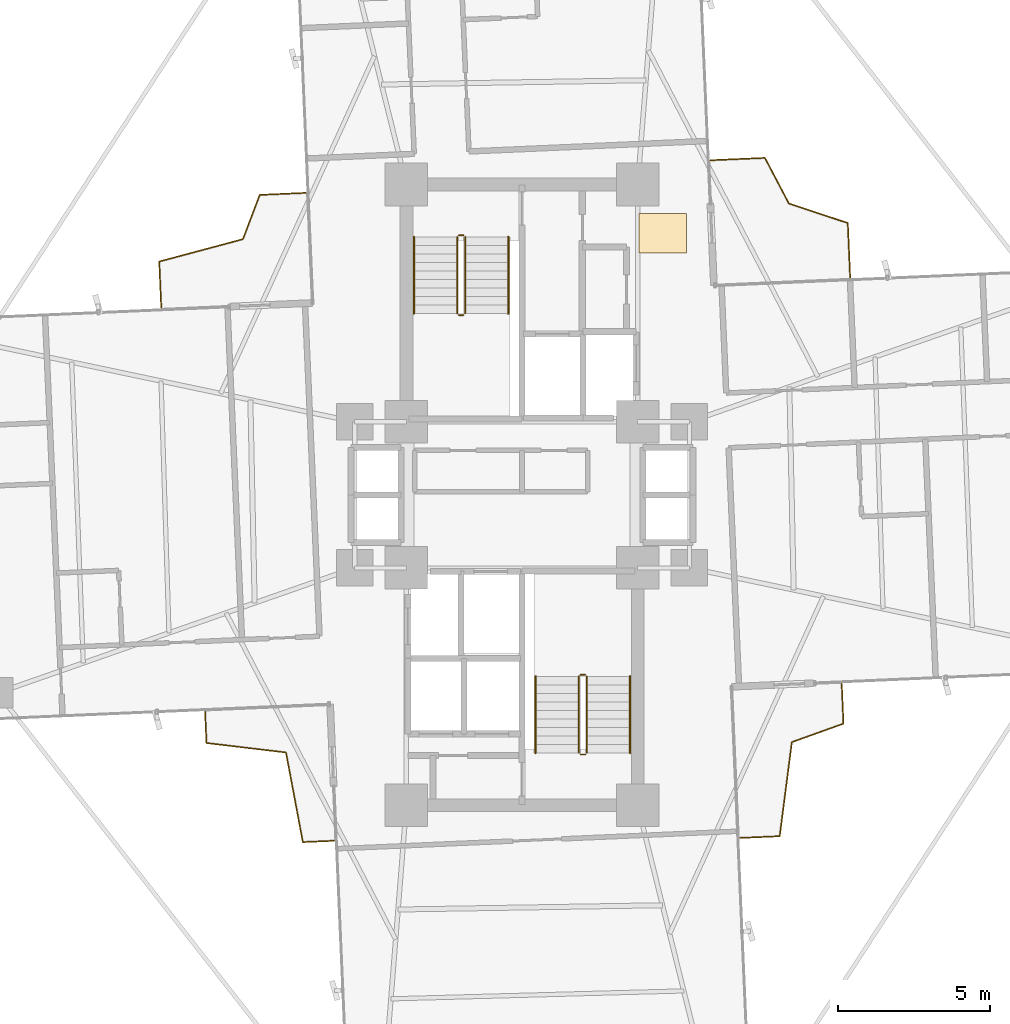
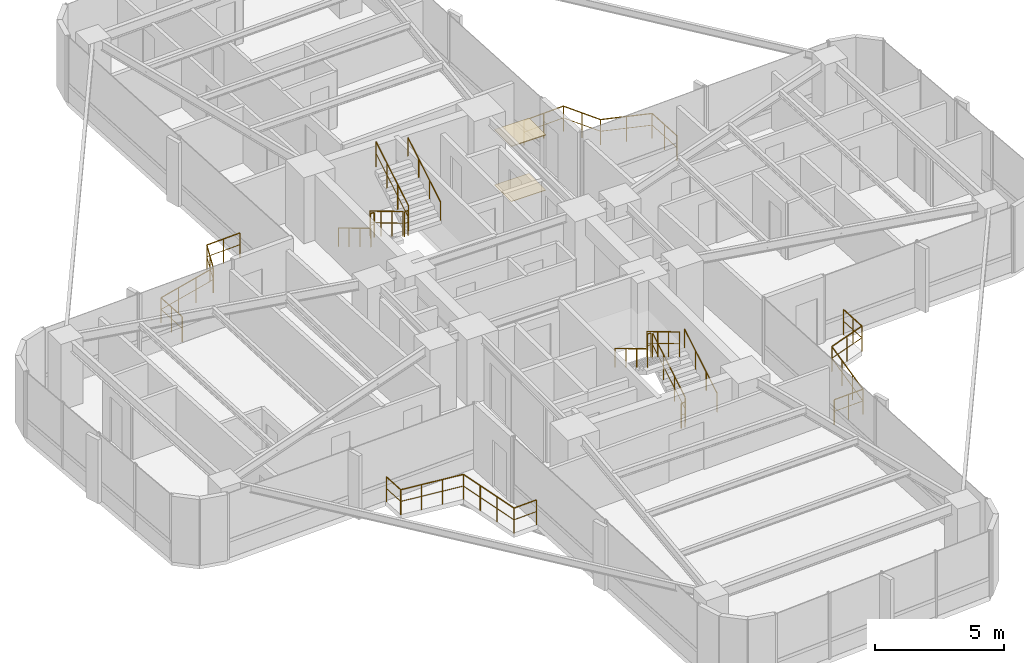
# One storey, part 26 of 26: 16 railings, 2 coverings.
"""IFC4 building model written with IfcOpenShell, lengths in metres."""

from ifc_helpers import new_model, si_unit, direction, frame, origin, origin_2d, place, context, subcontext, project, spatial, polyline, circle, outline, extrude, material, layer, layer_set, type_object, element, save


model = new_model("IFC4")

# Units and contexts
model_context = context("Model", 3, precision=1e-05, world=origin(), true_north=direction((0.0, 1.0)))
body_context = subcontext(model_context, "Body", "Model", "MODEL_VIEW")
ifc_project = project(units=[si_unit("LENGTHUNIT", "METRE"), si_unit("AREAUNIT", "SQUARE_METRE"), si_unit("VOLUMEUNIT", "CUBIC_METRE"), si_unit("PLANEANGLEUNIT", "RADIAN"), si_unit("MASSUNIT", "GRAM", prefix="KILO")], contexts=[model_context])

# Site, building, storey
site_placement = place(None, origin())
site = spatial("IfcSite", under=ifc_project, at=site_placement, CompositionType="ELEMENT")
building_placement = place(site_placement, origin())
building = spatial("IfcBuilding", under=site, at=building_placement, Name="Sahyath Konkavel Grand Hotel", CompositionType="ELEMENT")
storey_placement = place(building_placement, frame((0.0, 0.0, 83.5)))
storey = spatial("IfcBuildingStorey", under=building, at=storey_placement, Name="L22", CompositionType="ELEMENT", Elevation=83.5)

# Coverings
ifc_material_1 = material(Name="Perforated Acoustic Gypsum and Teak Baffle Ceiling")
ifc_layer_1 = layer(ifc_material_1, 0.044921875)
ifc_layer_set_1 = layer_set([ifc_layer_1], Name="Perforated Acoustic Gypsum and Teak Baffle Ceiling")
covering_type_1 = type_object("IfcCoveringType", Name="COV-ACOUSTIC-CLG", PredefinedType="CEILING", material=ifc_layer_set_1)
covering_1_placement = place(storey_placement, frame((0.0, 0.0, 2.590087890625)))
element("IfcCovering", 1, at=covering_1_placement, inside=storey, type_object=covering_type_1, Name="L22 Core Vestibule Acoustic Ceiling", PredefinedType="CEILING", context=body_context, shape_type="SweptSolid", body=[
    extrude(outline(polyline([(3.85009765625, 7.949951171875), (5.39990234375, 7.949951171875), (5.39990234375, 9.25), (3.85009765625, 9.25), (3.85009765625, 7.949951171875)])), origin(), (0.0, 0.0, 1.0), 0.039794921875),
])
ifc_material_2 = material(Name="Polished Konkan Aggregate Terrazzo Flooring")
ifc_layer_2 = layer(ifc_material_2, 0.02001953125)
ifc_layer_set_2 = layer_set([ifc_layer_2], Name="Polished Konkan Aggregate Terrazzo Flooring")
covering_type_2 = type_object("IfcCoveringType", Name="COV-TERRAZZO", PredefinedType="FLOORING", material=ifc_layer_set_2)
covering_2_placement = place(storey_placement, origin())
element("IfcCovering", 2, at=covering_2_placement, inside=storey, type_object=covering_type_2, Name="L22 Core Vestibule Terrazzo Flooring", PredefinedType="FLOORING", context=body_context, shape_type="SweptSolid", body=[
    extrude(outline(polyline([(3.85009765625, 7.949951171875), (5.39990234375, 7.949951171875), (5.39990234375, 9.25), (3.85009765625, 9.25), (3.85009765625, 7.949951171875)])), origin(), (0.0, 0.0, 1.0), 0.02001953125),
])

# Railings
ifc_material_3 = material(Name="Anodised Bronze Aluminium", Category="aluminium")
railing_type_1 = type_object("IfcRailingType", Name="RLG-BALC-1200", PredefinedType="GUARDRAIL", material=ifc_material_3)
railing_1_placement = place(storey_placement, frame((10.783935546875, 7.13720703125, 0.0)))
element("IfcRailing", 3, at=railing_1_placement, inside=storey, type_object=railing_type_1, Name="L22 Winter-Garden Guard NE", PredefinedType="GUARDRAIL", context=body_context, shape_type="SweptSolid", body=[
    extrude(circle(Radius=0.02392578125, at=origin_2d()), frame((0.0, 0.001953125, 1.17578125), z_axis=(-0.043578618053, 0.999050000775, 0.0), x_axis=(-0.999050000775, -0.043578618053, 0.0)), (0.0, 0.0, 1.0), 1.79443359375),
    extrude(circle(Radius=0.01416015625, at=origin_2d()), frame((0.0, 0.001953125, 0.6240234375), z_axis=(-0.043578618053, 0.999050000775, 0.0), x_axis=(-0.999050000775, -0.043578618053, 0.0)), (0.0, 0.0, 1.0), 1.79443359375),
    extrude(circle(Radius=0.02392578125, at=origin_2d()), frame((-0.080322265625, 1.79736328125, 1.17578125), z_axis=(-0.94951907359, 0.313709306348, 0.0), x_axis=(-0.313709306348, -0.94951907359, 0.0)), (0.0, 0.0, 1.0), 2.03271484375),
    extrude(circle(Radius=0.01416015625, at=origin_2d()), frame((-0.080322265625, 1.79736328125, 0.6240234375), z_axis=(-0.94951907359, 0.313709306348, 0.0), x_axis=(-0.313709306348, -0.94951907359, 0.0)), (0.0, 0.0, 1.0), 2.03271484375),
    extrude(circle(Radius=0.02392578125, at=origin_2d()), frame((-2.01318359375, 2.437255859375, 1.17578125), z_axis=(-0.465206334959, 0.885202274011, 0.0), x_axis=(-0.885202274011, -0.465206334959, 0.0)), (0.0, 0.0, 1.0), 1.691650390625),
    extrude(circle(Radius=0.01416015625, at=origin_2d()), frame((-2.01318359375, 2.437255859375, 0.6240234375), z_axis=(-0.465206334959, 0.885202274011, 0.0), x_axis=(-0.885202274011, -0.465206334959, 0.0)), (0.0, 0.0, 1.0), 1.691650390625),
    extrude(circle(Radius=0.02392578125, at=origin_2d()), frame((-2.802978515625, 3.9365234375, 1.17578125), z_axis=(-0.999050000775, -0.043578618053, 0.0), x_axis=(0.043578618053, -0.999050000775, 0.0)), (0.0, 0.0, 1.0), 1.79443359375),
    extrude(circle(Radius=0.01416015625, at=origin_2d()), frame((-2.802978515625, 3.9365234375, 0.6240234375), z_axis=(-0.999050000775, -0.043578618053, 0.0), x_axis=(0.043578618053, -0.999050000775, 0.0)), (0.0, 0.0, 1.0), 1.79443359375),
    extrude(circle(Radius=0.02099609375, at=origin_2d()), origin(), (0.0, 0.0, 1.0), 1.15185546875),
    extrude(circle(Radius=0.02099609375, at=origin_2d()), frame((-0.0390625, 0.8984375, 0.0)), (0.0, 0.0, 1.0), 1.15185546875),
    extrude(circle(Radius=0.02099609375, at=origin_2d()), frame((-0.078369140625, 1.796630859375, 0.0)), (0.0, 0.0, 1.0), 1.15185546875),
    extrude(circle(Radius=0.02099609375, at=origin_2d()), frame((-1.04541015625, 2.1162109375, 0.0)), (0.0, 0.0, 1.0), 1.15185546875),
    extrude(circle(Radius=0.02099609375, at=origin_2d()), frame((-2.01220703125, 2.435546875, 0.0)), (0.0, 0.0, 1.0), 1.15185546875),
    extrude(circle(Radius=0.02099609375, at=origin_2d()), frame((-2.40673828125, 3.18603515625, 0.0)), (0.0, 0.0, 1.0), 1.15185546875),
    extrude(circle(Radius=0.02099609375, at=origin_2d()), frame((-2.801025390625, 3.9365234375, 0.0)), (0.0, 0.0, 1.0), 1.15185546875),
    extrude(circle(Radius=0.02099609375, at=origin_2d()), frame((-3.69921875, 3.8974609375, 0.0)), (0.0, 0.0, 1.0), 1.15185546875),
    extrude(circle(Radius=0.02099609375, at=origin_2d()), frame((-4.59765625, 3.858154296875, 0.0)), (0.0, 0.0, 1.0), 1.15185546875),
])
railing_2_placement = place(storey_placement, frame((-7.099609375, 9.9248046875, 0.0)))
element("IfcRailing", 4, at=railing_2_placement, inside=storey, type_object=railing_type_1, Name="L22 Winter-Garden Guard NW", PredefinedType="GUARDRAIL", context=body_context, shape_type="SweptSolid", body=[
    extrude(circle(Radius=0.02392578125, at=origin_2d()), frame((-0.001953125, 0.0, 1.17578125), z_axis=(-0.999045829762, -0.043674134634, 0.0), x_axis=(0.043674134634, -0.999045829762, 0.0)), (0.0, 0.0, 1.0), 1.5166015625),
    extrude(circle(Radius=0.01416015625, at=origin_2d()), frame((-0.001953125, 0.0, 0.6240234375), z_axis=(-0.999045829762, -0.043674134634, 0.0), x_axis=(0.043674134634, -0.999045829762, 0.0)), (0.0, 0.0, 1.0), 1.5166015625),
    extrude(circle(Radius=0.02392578125, at=origin_2d()), frame((-1.519775390625, -0.068359375, 1.17578125), z_axis=(-0.354507640627, -0.935053117602, 0.0), x_axis=(0.935053117602, -0.354507640627, 0.0)), (0.0, 0.0, 1.0), 1.552490234375),
    extrude(circle(Radius=0.01416015625, at=origin_2d()), frame((-1.519775390625, -0.068359375, 0.6240234375), z_axis=(-0.354507640627, -0.935053117602, 0.0), x_axis=(0.935053117602, -0.354507640627, 0.0)), (0.0, 0.0, 1.0), 1.552490234375),
    extrude(circle(Radius=0.02392578125, at=origin_2d()), frame((-2.07275390625, -1.522216796875, 1.17578125), z_axis=(-0.966069644083, -0.258281712052, 0.0), x_axis=(0.258281712052, -0.966069644083, 0.0)), (0.0, 0.0, 1.0), 2.843017578125),
    extrude(circle(Radius=0.01416015625, at=origin_2d()), frame((-2.07275390625, -1.522216796875, 0.6240234375), z_axis=(-0.966069644083, -0.258281712052, 0.0), x_axis=(0.258281712052, -0.966069644083, 0.0)), (0.0, 0.0, 1.0), 2.843017578125),
    extrude(circle(Radius=0.02392578125, at=origin_2d()), frame((-4.8212890625, -2.259033203125, 1.17578125), z_axis=(0.043674134634, -0.999045829762, 0.0), x_axis=(0.999045829762, 0.043674134634, 0.0)), (0.0, 0.0, 1.0), 1.5166015625),
    extrude(circle(Radius=0.01416015625, at=origin_2d()), frame((-4.8212890625, -2.259033203125, 0.6240234375), z_axis=(0.043674134634, -0.999045829762, 0.0), x_axis=(0.999045829762, 0.043674134634, 0.0)), (0.0, 0.0, 1.0), 1.5166015625),
    extrude(circle(Radius=0.02099609375, at=origin_2d()), origin(), (0.0, 0.0, 1.0), 1.15185546875),
    extrude(circle(Radius=0.02099609375, at=origin_2d()), frame((-0.759521484375, -0.033203125, 0.0)), (0.0, 0.0, 1.0), 1.15185546875),
    extrude(circle(Radius=0.02099609375, at=origin_2d()), frame((-1.51904296875, -0.06640625, 0.0)), (0.0, 0.0, 1.0), 1.15185546875),
    extrude(circle(Radius=0.02099609375, at=origin_2d()), frame((-1.794921875, -0.7939453125, 0.0)), (0.0, 0.0, 1.0), 1.15185546875),
    extrude(circle(Radius=0.02099609375, at=origin_2d()), frame((-2.07080078125, -1.521728515625, 0.0)), (0.0, 0.0, 1.0), 1.15185546875),
    extrude(circle(Radius=0.02099609375, at=origin_2d()), frame((-2.987548828125, -1.766845703125, 0.0)), (0.0, 0.0, 1.0), 1.15185546875),
    extrude(circle(Radius=0.02099609375, at=origin_2d()), frame((-3.904541015625, -2.011962890625, 0.0)), (0.0, 0.0, 1.0), 1.15185546875),
    extrude(circle(Radius=0.02099609375, at=origin_2d()), frame((-4.8212890625, -2.257080078125, 0.0)), (0.0, 0.0, 1.0), 1.15185546875),
    extrude(circle(Radius=0.02099609375, at=origin_2d()), frame((-4.7880859375, -3.0166015625, 0.0)), (0.0, 0.0, 1.0), 1.15185546875),
    extrude(circle(Radius=0.02099609375, at=origin_2d()), frame((-4.7548828125, -3.776123046875, 0.0)), (0.0, 0.0, 1.0), 1.15185546875),
])
railing_3_placement = place(storey_placement, frame((-10.414306640625, -7.12109375, 0.0)))
element("IfcRailing", 5, at=railing_3_placement, inside=storey, type_object=railing_type_1, Name="L22 Winter-Garden Guard SW", PredefinedType="GUARDRAIL", context=body_context, shape_type="SweptSolid", body=[
    extrude(circle(Radius=0.02392578125, at=origin_2d()), frame((0.0, -0.001953125, 1.17578125), z_axis=(0.043693456786, -0.99904498489, 0.0), x_axis=(0.99904498489, 0.043693456786, 0.0)), (0.0, 0.0, 1.0), 1.02978515625),
    extrude(circle(Radius=0.01416015625, at=origin_2d()), frame((0.0, -0.001953125, 0.6240234375), z_axis=(0.043693456786, -0.99904498489, 0.0), x_axis=(0.99904498489, 0.043693456786, 0.0)), (0.0, 0.0, 1.0), 1.02978515625),
    extrude(circle(Radius=0.02392578125, at=origin_2d()), frame((0.047119140625, -1.032958984375, 1.17578125), z_axis=(0.992963091084, -0.118424236305, 0.0), x_axis=(0.118424236305, 0.992963091084, 0.0)), (0.0, 0.0, 1.0), 2.62646484375),
    extrude(circle(Radius=0.01416015625, at=origin_2d()), frame((0.047119140625, -1.032958984375, 0.6240234375), z_axis=(0.992963091084, -0.118424236305, 0.0), x_axis=(0.118424236305, 0.992963091084, 0.0)), (0.0, 0.0, 1.0), 2.62646484375),
    extrude(circle(Radius=0.02392578125, at=origin_2d()), frame((2.65771484375, -1.34619140625, 1.17578125), z_axis=(0.184962480179, -0.98274558301, 0.0), x_axis=(0.98274558301, 0.184962480179, 0.0)), (0.0, 0.0, 1.0), 2.9921875),
    extrude(circle(Radius=0.01416015625, at=origin_2d()), frame((2.65771484375, -1.34619140625, 0.6240234375), z_axis=(0.184962480179, -0.98274558301, 0.0), x_axis=(0.98274558301, 0.184962480179, 0.0)), (0.0, 0.0, 1.0), 2.9921875),
    extrude(circle(Radius=0.02392578125, at=origin_2d()), frame((3.21337890625, -4.288818359375, 1.17578125), z_axis=(0.999055266887, 0.043457723193, 0.0), x_axis=(-0.043457723193, 0.999055266887, 0.0)), (0.0, 0.0, 1.0), 1.02978515625),
    extrude(circle(Radius=0.01416015625, at=origin_2d()), frame((3.21337890625, -4.288818359375, 0.6240234375), z_axis=(0.999055266887, 0.043457723193, 0.0), x_axis=(-0.043457723193, 0.999055266887, 0.0)), (0.0, 0.0, 1.0), 1.02978515625),
    extrude(circle(Radius=0.02099609375, at=origin_2d()), origin(), (0.0, 0.0, 1.0), 1.15185546875),
    extrude(circle(Radius=0.02099609375, at=origin_2d()), frame((0.045166015625, -1.03271484375, 0.0)), (0.0, 0.0, 1.0), 1.15185546875),
    extrude(circle(Radius=0.02099609375, at=origin_2d()), frame((0.915771484375, -1.136474609375, 0.0)), (0.0, 0.0, 1.0), 1.15185546875),
    extrude(circle(Radius=0.02099609375, at=origin_2d()), frame((1.78662109375, -1.240478515625, 0.0)), (0.0, 0.0, 1.0), 1.15185546875),
    extrude(circle(Radius=0.02099609375, at=origin_2d()), frame((2.6572265625, -1.34423828125, 0.0)), (0.0, 0.0, 1.0), 1.15185546875),
    extrude(circle(Radius=0.02099609375, at=origin_2d()), frame((2.842041015625, -2.32568359375, 0.0)), (0.0, 0.0, 1.0), 1.15185546875),
    extrude(circle(Radius=0.02099609375, at=origin_2d()), frame((3.026611328125, -3.307373046875, 0.0)), (0.0, 0.0, 1.0), 1.15185546875),
    extrude(circle(Radius=0.02099609375, at=origin_2d()), frame((3.21142578125, -4.288818359375, 0.0)), (0.0, 0.0, 1.0), 1.15185546875),
    extrude(circle(Radius=0.02099609375, at=origin_2d()), frame((4.244140625, -4.243896484375, 0.0)), (0.0, 0.0, 1.0), 1.15185546875),
])
railing_4_placement = place(storey_placement, frame((7.15869140625, -11.2734375, 0.0)))
element("IfcRailing", 6, at=railing_4_placement, inside=storey, type_object=railing_type_1, Name="L22 Winter-Garden Guard SE", PredefinedType="GUARDRAIL", context=body_context, shape_type="SweptSolid", body=[
    extrude(circle(Radius=0.02392578125, at=origin_2d()), frame((0.001953125, 0.0, 1.17578125), z_axis=(0.999050882696, 0.043558395109, 0.0), x_axis=(-0.043558395109, 0.999050882696, 0.0)), (0.0, 0.0, 1.0), 1.3076171875),
    extrude(circle(Radius=0.01416015625, at=origin_2d()), frame((0.001953125, 0.0, 0.6240234375), z_axis=(0.999050882696, 0.043558395109, 0.0), x_axis=(-0.043558395109, 0.999050882696, 0.0)), (0.0, 0.0, 1.0), 1.3076171875),
    extrude(circle(Radius=0.02392578125, at=origin_2d()), frame((1.310546875, 0.05908203125, 1.17578125), z_axis=(0.128026030976, 0.991770807895, 0.0), x_axis=(-0.991770807895, 0.128026030976, 0.0)), (0.0, 0.0, 1.0), 3.112060546875),
    extrude(circle(Radius=0.01416015625, at=origin_2d()), frame((1.310546875, 0.05908203125, 0.6240234375), z_axis=(0.128026030976, 0.991770807895, 0.0), x_axis=(-0.991770807895, 0.128026030976, 0.0)), (0.0, 0.0, 1.0), 3.112060546875),
    extrude(circle(Radius=0.02392578125, at=origin_2d()), frame((1.711181640625, 3.148193359375, 1.17578125), z_axis=(0.941296329015, 0.337581428669, 0.0), x_axis=(-0.337581428669, 0.941296329015, 0.0)), (0.0, 0.0, 1.0), 1.796875),
    extrude(circle(Radius=0.01416015625, at=origin_2d()), frame((1.711181640625, 3.148193359375, 0.6240234375), z_axis=(0.941296329015, 0.337581428669, 0.0), x_axis=(-0.337581428669, 0.941296329015, 0.0)), (0.0, 0.0, 1.0), 1.796875),
    extrude(circle(Radius=0.02392578125, at=origin_2d()), frame((3.404296875, 3.75732421875, 1.17578125), z_axis=(-0.043550296046, 0.99905123578, 0.0), x_axis=(-0.99905123578, -0.043550296046, 0.0)), (0.0, 0.0, 1.0), 1.307861328125),
    extrude(circle(Radius=0.01416015625, at=origin_2d()), frame((3.404296875, 3.75732421875, 0.6240234375), z_axis=(-0.043550296046, 0.99905123578, 0.0), x_axis=(-0.99905123578, -0.043550296046, 0.0)), (0.0, 0.0, 1.0), 1.307861328125),
    extrude(circle(Radius=0.02099609375, at=origin_2d()), origin(), (0.0, 0.0, 1.0), 1.15185546875),
    extrude(circle(Radius=0.02099609375, at=origin_2d()), frame((0.6552734375, 0.028564453125, 0.0)), (0.0, 0.0, 1.0), 1.15185546875),
    extrude(circle(Radius=0.02099609375, at=origin_2d()), frame((1.310302734375, 0.05712890625, 0.0)), (0.0, 0.0, 1.0), 1.15185546875),
    extrude(circle(Radius=0.02099609375, at=origin_2d()), frame((1.443359375, 1.087158203125, 0.0)), (0.0, 0.0, 1.0), 1.15185546875),
    extrude(circle(Radius=0.02099609375, at=origin_2d()), frame((1.576171875, 2.117431640625, 0.0)), (0.0, 0.0, 1.0), 1.15185546875),
    extrude(circle(Radius=0.02099609375, at=origin_2d()), frame((1.709228515625, 3.1474609375, 0.0)), (0.0, 0.0, 1.0), 1.15185546875),
    extrude(circle(Radius=0.02099609375, at=origin_2d()), frame((2.556640625, 3.451416015625, 0.0)), (0.0, 0.0, 1.0), 1.15185546875),
    extrude(circle(Radius=0.02099609375, at=origin_2d()), frame((3.404296875, 3.75537109375, 0.0)), (0.0, 0.0, 1.0), 1.15185546875),
    extrude(circle(Radius=0.02099609375, at=origin_2d()), frame((3.375732421875, 4.41064453125, 0.0)), (0.0, 0.0, 1.0), 1.15185546875),
    extrude(circle(Radius=0.02099609375, at=origin_2d()), frame((3.34716796875, 5.06591796875, 0.0)), (0.0, 0.0, 1.0), 1.15185546875),
])
ifc_material_4 = material(Name="Steel E350", Category="steel")
railing_type_2 = type_object("IfcRailingType", Name="RLG-STAIR-GRD", PredefinedType="GUARDRAIL", material=ifc_material_4)
railing_5_placement = place(storey_placement, frame((-2.1298828125, 8.47998046875, 0.16748046875)))
element("IfcRailing", 7, at=railing_5_placement, inside=storey, type_object=railing_type_2, Name="L22 ST-1 stair guard 1", PredefinedType="GUARDRAIL", context=body_context, shape_type="SweptSolid", body=[
    extrude(circle(Radius=0.02392578125, at=origin_2d()), frame((0.0, -0.001708984375, 1.177001953125), z_axis=(0.0, -0.858159760407, 0.513382728203), x_axis=(1.0, 0.0, 0.0)), (0.0, 0.0, 1.0), 2.9326171875),
    extrude(circle(Radius=0.01416015625, at=origin_2d()), frame((0.0, -0.001708984375, 0.625), z_axis=(0.0, -0.858159760407, 0.513382728203), x_axis=(1.0, 0.0, 0.0)), (0.0, 0.0, 1.0), 2.9326171875),
    extrude(circle(Radius=0.02099609375, at=origin_2d()), origin(), (0.0, 0.0, 1.0), 1.15185546875),
    extrude(circle(Radius=0.02099609375, at=origin_2d()), frame((0.0, -0.840087890625, 0.50244140625)), (0.0, 0.0, 1.0), 1.15185546875),
    extrude(circle(Radius=0.02099609375, at=origin_2d()), frame((0.0, -1.679931640625, 1.005126953125)), (0.0, 0.0, 1.0), 1.15185546875),
    extrude(circle(Radius=0.02099609375, at=origin_2d()), frame((0.0, -2.52001953125, 1.507568359375)), (0.0, 0.0, 1.0), 1.15185546875),
])
railing_6_placement = place(storey_placement, frame((-2.080078125, 5.909912109375, 1.675048828125)))
element("IfcRailing", 8, at=railing_6_placement, inside=storey, type_object=railing_type_2, Name="L22 ST-1 stair guard 2", PredefinedType="GUARDRAIL", context=body_context, shape_type="SweptSolid", body=[
    extrude(circle(Radius=0.02392578125, at=origin_2d()), frame((0.001953125, 0.0, 1.17578125), z_axis=(1.0, 0.0, 0.0), x_axis=(0.0, 1.0, 0.0)), (0.0, 0.0, 1.0), 0.15625),
    extrude(circle(Radius=0.01416015625, at=origin_2d()), frame((0.001953125, 0.0, 0.6240234375), z_axis=(1.0, 0.0, 0.0), x_axis=(0.0, 1.0, 0.0)), (0.0, 0.0, 1.0), 0.15625),
    extrude(circle(Radius=0.02099609375, at=origin_2d()), origin(), (0.0, 0.0, 1.0), 1.15185546875),
    extrude(circle(Radius=0.02099609375, at=origin_2d()), frame((0.16015625, 0.0, 0.0)), (0.0, 0.0, 1.0), 1.15185546875),
])
railing_7_placement = place(storey_placement, frame((-1.8701171875, 5.9599609375, 1.842529296875)))
element("IfcRailing", 9, at=railing_7_placement, inside=storey, type_object=railing_type_2, Name="L22 ST-1 stair guard 3", PredefinedType="GUARDRAIL", context=body_context, shape_type="SweptSolid", body=[
    extrude(circle(Radius=0.02392578125, at=origin_2d()), frame((0.0, 0.001708984375, 1.177001953125), z_axis=(0.0, 0.858159760407, 0.513382728203), x_axis=(-1.0, 0.0, 0.0)), (0.0, 0.0, 1.0), 2.9326171875),
    extrude(circle(Radius=0.01416015625, at=origin_2d()), frame((0.0, 0.001708984375, 0.625), z_axis=(0.0, 0.858159760407, 0.513382728203), x_axis=(-1.0, 0.0, 0.0)), (0.0, 0.0, 1.0), 2.9326171875),
    extrude(circle(Radius=0.02099609375, at=origin_2d()), origin(), (0.0, 0.0, 1.0), 1.15185546875),
    extrude(circle(Radius=0.02099609375, at=origin_2d()), frame((0.0, 0.840087890625, 0.50244140625)), (0.0, 0.0, 1.0), 1.15185546875),
    extrude(circle(Radius=0.02099609375, at=origin_2d()), frame((0.0, 1.679931640625, 1.005126953125)), (0.0, 0.0, 1.0), 1.15185546875),
    extrude(circle(Radius=0.02099609375, at=origin_2d()), frame((0.0, 2.52001953125, 1.507568359375)), (0.0, 0.0, 1.0), 1.15185546875),
])
railing_8_placement = place(storey_placement, frame((-2.080078125, 8.530029296875, 0.0)))
element("IfcRailing", 10, at=railing_8_placement, inside=storey, type_object=railing_type_2, Name="L22 ST-1 stair guard 4", PredefinedType="GUARDRAIL", context=body_context, shape_type="SweptSolid", body=[
    extrude(circle(Radius=0.02392578125, at=origin_2d()), frame((0.001953125, 0.0, 1.17578125), z_axis=(1.0, 0.0, 0.0), x_axis=(0.0, 1.0, 0.0)), (0.0, 0.0, 1.0), 0.15625),
    extrude(circle(Radius=0.01416015625, at=origin_2d()), frame((0.001953125, 0.0, 0.6240234375), z_axis=(1.0, 0.0, 0.0), x_axis=(0.0, 1.0, 0.0)), (0.0, 0.0, 1.0), 0.15625),
    extrude(circle(Radius=0.02099609375, at=origin_2d()), origin(), (0.0, 0.0, 1.0), 1.15185546875),
    extrude(circle(Radius=0.02099609375, at=origin_2d()), frame((0.16015625, 0.0, 0.0)), (0.0, 0.0, 1.0), 1.15185546875),
])
railing_9_placement = place(storey_placement, frame((2.1298828125, -8.47998046875, 0.16748046875)))
element("IfcRailing", 11, at=railing_9_placement, inside=storey, type_object=railing_type_2, Name="L22 ST-2 stair guard 1", PredefinedType="GUARDRAIL", context=body_context, shape_type="SweptSolid", body=[
    extrude(circle(Radius=0.02392578125, at=origin_2d()), frame((0.0, 0.001708984375, 1.177001953125), z_axis=(0.0, 0.858159760407, 0.513382728203), x_axis=(-1.0, 0.0, 0.0)), (0.0, 0.0, 1.0), 2.9326171875),
    extrude(circle(Radius=0.01416015625, at=origin_2d()), frame((0.0, 0.001708984375, 0.625), z_axis=(0.0, 0.858159760407, 0.513382728203), x_axis=(-1.0, 0.0, 0.0)), (0.0, 0.0, 1.0), 2.9326171875),
    extrude(circle(Radius=0.02099609375, at=origin_2d()), origin(), (0.0, 0.0, 1.0), 1.15185546875),
    extrude(circle(Radius=0.02099609375, at=origin_2d()), frame((0.0, 0.840087890625, 0.50244140625)), (0.0, 0.0, 1.0), 1.15185546875),
    extrude(circle(Radius=0.02099609375, at=origin_2d()), frame((0.0, 1.679931640625, 1.005126953125)), (0.0, 0.0, 1.0), 1.15185546875),
    extrude(circle(Radius=0.02099609375, at=origin_2d()), frame((0.0, 2.52001953125, 1.507568359375)), (0.0, 0.0, 1.0), 1.15185546875),
])
railing_10_placement = place(storey_placement, frame((2.080078125, -5.909912109375, 1.675048828125)))
element("IfcRailing", 12, at=railing_10_placement, inside=storey, type_object=railing_type_2, Name="L22 ST-2 stair guard 2", PredefinedType="GUARDRAIL", context=body_context, shape_type="SweptSolid", body=[
    extrude(circle(Radius=0.02392578125, at=origin_2d()), frame((-0.001953125, 0.0, 1.17578125), z_axis=(-1.0, 0.0, 0.0), x_axis=(0.0, -1.0, 0.0)), (0.0, 0.0, 1.0), 0.15625),
    extrude(circle(Radius=0.01416015625, at=origin_2d()), frame((-0.001953125, 0.0, 0.6240234375), z_axis=(-1.0, 0.0, 0.0), x_axis=(0.0, -1.0, 0.0)), (0.0, 0.0, 1.0), 0.15625),
    extrude(circle(Radius=0.02099609375, at=origin_2d()), origin(), (0.0, 0.0, 1.0), 1.15185546875),
    extrude(circle(Radius=0.02099609375, at=origin_2d()), frame((-0.16015625, 0.0, 0.0)), (0.0, 0.0, 1.0), 1.15185546875),
])
railing_11_placement = place(storey_placement, frame((1.8701171875, -5.9599609375, 1.842529296875)))
element("IfcRailing", 13, at=railing_11_placement, inside=storey, type_object=railing_type_2, Name="L22 ST-2 stair guard 3", PredefinedType="GUARDRAIL", context=body_context, shape_type="SweptSolid", body=[
    extrude(circle(Radius=0.02392578125, at=origin_2d()), frame((0.0, -0.001708984375, 1.177001953125), z_axis=(0.0, -0.858159760407, 0.513382728203), x_axis=(1.0, 0.0, 0.0)), (0.0, 0.0, 1.0), 2.9326171875),
    extrude(circle(Radius=0.01416015625, at=origin_2d()), frame((0.0, -0.001708984375, 0.625), z_axis=(0.0, -0.858159760407, 0.513382728203), x_axis=(1.0, 0.0, 0.0)), (0.0, 0.0, 1.0), 2.9326171875),
    extrude(circle(Radius=0.02099609375, at=origin_2d()), origin(), (0.0, 0.0, 1.0), 1.15185546875),
    extrude(circle(Radius=0.02099609375, at=origin_2d()), frame((0.0, -0.840087890625, 0.50244140625)), (0.0, 0.0, 1.0), 1.15185546875),
    extrude(circle(Radius=0.02099609375, at=origin_2d()), frame((0.0, -1.679931640625, 1.005126953125)), (0.0, 0.0, 1.0), 1.15185546875),
    extrude(circle(Radius=0.02099609375, at=origin_2d()), frame((0.0, -2.52001953125, 1.507568359375)), (0.0, 0.0, 1.0), 1.15185546875),
])
railing_12_placement = place(storey_placement, frame((2.080078125, -8.530029296875, 0.0)))
element("IfcRailing", 14, at=railing_12_placement, inside=storey, type_object=railing_type_2, Name="L22 ST-2 stair guard 4", PredefinedType="GUARDRAIL", context=body_context, shape_type="SweptSolid", body=[
    extrude(circle(Radius=0.02392578125, at=origin_2d()), frame((-0.001953125, 0.0, 1.17578125), z_axis=(-1.0, 0.0, 0.0), x_axis=(0.0, -1.0, 0.0)), (0.0, 0.0, 1.0), 0.15625),
    extrude(circle(Radius=0.01416015625, at=origin_2d()), frame((-0.001953125, 0.0, 0.6240234375), z_axis=(-1.0, 0.0, 0.0), x_axis=(0.0, -1.0, 0.0)), (0.0, 0.0, 1.0), 0.15625),
    extrude(circle(Radius=0.02099609375, at=origin_2d()), origin(), (0.0, 0.0, 1.0), 1.15185546875),
    extrude(circle(Radius=0.02099609375, at=origin_2d()), frame((-0.16015625, 0.0, 0.0)), (0.0, 0.0, 1.0), 1.15185546875),
])
railing_type_3 = type_object("IfcRailingType", Name="RLG-STAIR-HND", PredefinedType="HANDRAIL", material=ifc_material_3)
railing_13_placement = place(storey_placement, frame((-3.550048828125, 8.47998046875, 0.16748046875)))
element("IfcRailing", 15, at=railing_13_placement, inside=storey, type_object=railing_type_3, Name="L22 ST-1 stair handrail 1", PredefinedType="HANDRAIL", context=body_context, shape_type="SweptSolid", body=[
    extrude(circle(Radius=0.02392578125, at=origin_2d()), frame((0.0, -0.001708984375, 0.876953125), z_axis=(0.0, -0.858159760407, 0.513382728203), x_axis=(1.0, 0.0, 0.0)), (0.0, 0.0, 1.0), 2.9326171875),
    extrude(circle(Radius=0.02099609375, at=origin_2d()), origin(), (0.0, 0.0, 1.0), 0.851806640625),
    extrude(circle(Radius=0.02099609375, at=origin_2d()), frame((0.0, -0.840087890625, 0.50244140625)), (0.0, 0.0, 1.0), 0.851806640625),
    extrude(circle(Radius=0.02099609375, at=origin_2d()), frame((0.0, -1.679931640625, 1.005126953125)), (0.0, 0.0, 1.0), 0.851806640625),
    extrude(circle(Radius=0.02099609375, at=origin_2d()), frame((0.0, -2.52001953125, 1.507568359375)), (0.0, 0.0, 1.0), 0.851806640625),
])
for number, where, name in (
    (16, (-0.449951171875, 5.9599609375, 1.842529296875), "L22 ST-1 stair handrail 2"),
    (17, (3.550048828125, -8.47998046875, 0.16748046875), "L22 ST-2 stair handrail 1"),
):
    element("IfcRailing", number, at=place(storey_placement, frame(where)), inside=storey, type_object=railing_type_3, Name=name, PredefinedType="HANDRAIL", context=body_context, shape_type="SweptSolid", body=[
        extrude(circle(Radius=0.02392578125, at=origin_2d()), frame((0.0, 0.001708984375, 0.876953125), z_axis=(0.0, 0.858159760407, 0.513382728203), x_axis=(-1.0, 0.0, 0.0)), (0.0, 0.0, 1.0), 2.9326171875),
        extrude(circle(Radius=0.02099609375, at=origin_2d()), origin(), (0.0, 0.0, 1.0), 0.851806640625),
        extrude(circle(Radius=0.02099609375, at=origin_2d()), frame((0.0, 0.840087890625, 0.50244140625)), (0.0, 0.0, 1.0), 0.851806640625),
        extrude(circle(Radius=0.02099609375, at=origin_2d()), frame((0.0, 1.679931640625, 1.005126953125)), (0.0, 0.0, 1.0), 0.851806640625),
        extrude(circle(Radius=0.02099609375, at=origin_2d()), frame((0.0, 2.52001953125, 1.507568359375)), (0.0, 0.0, 1.0), 0.851806640625),
    ])
railing_14_placement = place(storey_placement, frame((0.449951171875, -5.9599609375, 1.842529296875)))
element("IfcRailing", 18, at=railing_14_placement, inside=storey, type_object=railing_type_3, Name="L22 ST-2 stair handrail 2", PredefinedType="HANDRAIL", context=body_context, shape_type="SweptSolid", body=[
    extrude(circle(Radius=0.02392578125, at=origin_2d()), frame((0.0, -0.001708984375, 0.876953125), z_axis=(0.0, -0.858159760407, 0.513382728203), x_axis=(1.0, 0.0, 0.0)), (0.0, 0.0, 1.0), 2.9326171875),
    extrude(circle(Radius=0.02099609375, at=origin_2d()), origin(), (0.0, 0.0, 1.0), 0.851806640625),
    extrude(circle(Radius=0.02099609375, at=origin_2d()), frame((0.0, -0.840087890625, 0.50244140625)), (0.0, 0.0, 1.0), 0.851806640625),
    extrude(circle(Radius=0.02099609375, at=origin_2d()), frame((0.0, -1.679931640625, 1.005126953125)), (0.0, 0.0, 1.0), 0.851806640625),
    extrude(circle(Radius=0.02099609375, at=origin_2d()), frame((0.0, -2.52001953125, 1.507568359375)), (0.0, 0.0, 1.0), 0.851806640625),
])

save(model, "model.ifc")
